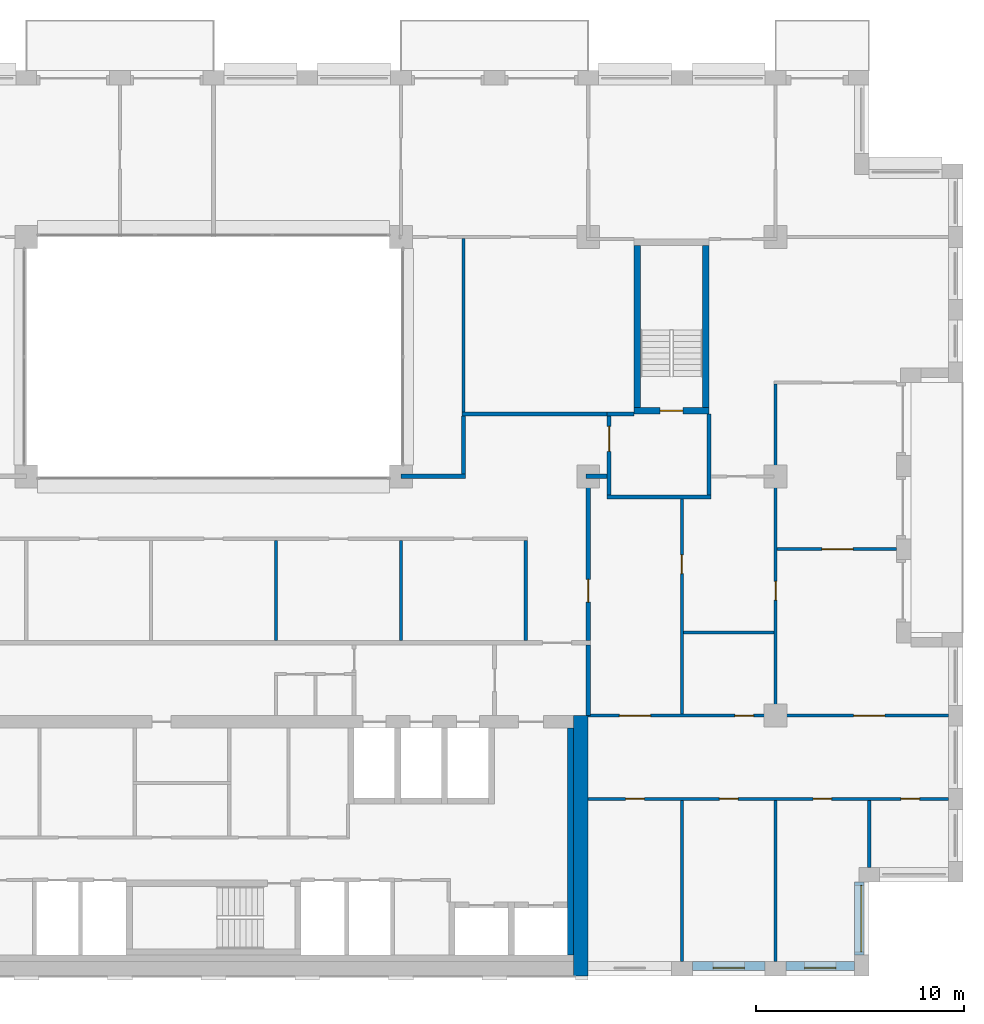
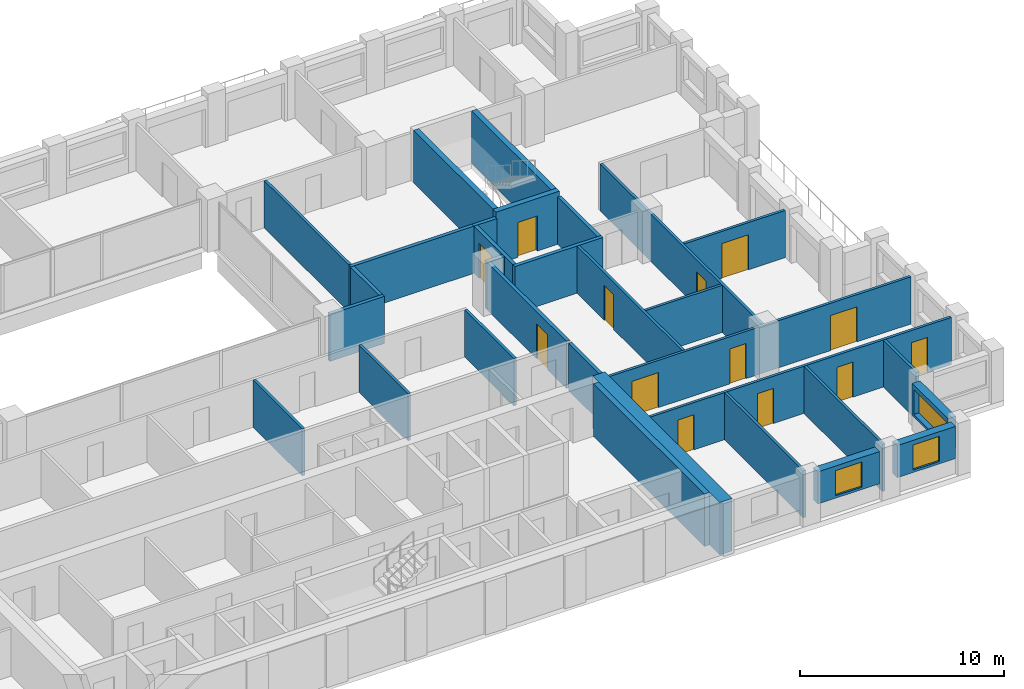
# One storey, part 11 of 15: 31 walls, 13 doors, 3 windows, 16 openings.
"""IFC4 building model written with IfcOpenShell, lengths in metres."""

from ifc_helpers import new_model, si_unit, direction, frame, frame_2d, origin, place, context, subcontext, project, spatial, rectangle, extrude, material, layer, layer_set, type_object, element, fill, save


model = new_model("IFC4")

# Units and contexts
model_context = context("Model", 3, precision=1e-05, world=origin(), true_north=direction((0.0, 1.0)))
body_context = subcontext(model_context, "Body", "Model", "MODEL_VIEW")
ifc_project = project(units=[si_unit("LENGTHUNIT", "METRE"), si_unit("AREAUNIT", "SQUARE_METRE"), si_unit("VOLUMEUNIT", "CUBIC_METRE"), si_unit("PLANEANGLEUNIT", "RADIAN"), si_unit("MASSUNIT", "GRAM", prefix="KILO")], contexts=[model_context])

# Site, building, storey
site_placement = place(None, origin())
site = spatial("IfcSite", under=ifc_project, at=site_placement, CompositionType="ELEMENT")
building_placement = place(site_placement, origin())
building = spatial("IfcBuilding", under=site, at=building_placement, Name="Brigalow Station Residences", CompositionType="ELEMENT")
storey_placement = place(building_placement, frame((0.0, 0.0, 147.60009765625)))
storey = spatial("IfcBuildingStorey", under=building, at=storey_placement, Name="L42", CompositionType="ELEMENT", Elevation=147.60009765625)

# Wall, opening, window
ifc_material_1 = material(Name="Clay brick masonry", Category="masonry")
ifc_layer_1 = layer(ifc_material_1, 0.449951171875)
ifc_layer_set_1 = layer_set([ifc_layer_1], Name="BRICK INFILL WALL 450")
wall_type_1 = type_object("IfcWallType", Name="BRICK INFILL WALL 450", PredefinedType="SOLIDWALL", material=ifc_layer_set_1)
wall_1_placement = place(storey_placement, frame((59.0, 0.47509765625, 0.89990234375), z_axis=(0.0, 0.0, 1.0), x_axis=(1.0, 0.0, 0.0)))
wall_1 = element("IfcWall", 1, at=wall_1_placement, inside=storey, type_object=wall_type_1, Name="L42/ewall/W-L42-5", PredefinedType="SOLIDWALL", context=body_context, shape_type="SweptSolid", body=[
    extrude(rectangle(XDim=3.5, YDim=0.449951171875, at=frame_2d((1.75, 0.0))), origin(), (0.0, 0.0, 1.0), 1.929931640625),
])
opening_1_placement = place(wall_1_placement, frame((1.0, 0.0, 0.14990234375)))
opening_1 = element("IfcOpeningElement", 2, at=opening_1_placement, cuts=wall_1, Name="Opening WT-1", PredefinedType="OPENING", context=body_context, shape_type="SweptSolid", body=[
    extrude(rectangle(XDim=1.5, YDim=1.5, at=frame_2d((0.75, 0.75))), frame((0.0, 0.23486328125, 0.0), z_axis=(0.0, -1.0, 0.0), x_axis=(1.0, 0.0, 0.0)), (0.0, 0.0, 1.0), 0.469970703125),
])
ifc_material_2 = material(Name="Anodised aluminium frame with double glazing", Category="aluminium")
window_type_1 = type_object("IfcWindowType", Name="WINDOW 1500x1500", PartitioningType="SINGLE_PANEL", PredefinedType="WINDOW", material=ifc_material_2)
window_1_placement = place(opening_1_placement, origin())
window_1 = element("IfcWindow", 3, at=window_1_placement, inside=storey, type_object=window_type_1, Name="L42/window/W-L42-5", OverallHeight=1.5, OverallWidth=1.5, PartitioningType="SINGLE_PANEL", PredefinedType="WINDOW", context=body_context, shape_type="SweptSolid", body=[
    extrude(rectangle(XDim=1.5, YDim=1.5, at=frame_2d((0.75, 0.75))), frame((0.0, -0.06494140625, 0.0), z_axis=(0.0, -1.0, 0.0), x_axis=(1.0, 0.0, 0.0)), (0.0, 0.0, 1.0), 0.06005859375),
])
fill(opening_1, window_1)

wall_2_placement = place(storey_placement, frame((63.5, 0.47509765625, 0.89990234375), z_axis=(0.0, 0.0, 1.0), x_axis=(1.0, 0.0, 0.0)))
wall_2 = element("IfcWall", 4, at=wall_2_placement, inside=storey, type_object=wall_type_1, Name="L42/ewall/W-L42-6", PredefinedType="SOLIDWALL", context=body_context, shape_type="SweptSolid", body=[
    extrude(rectangle(XDim=3.300048828125, YDim=0.449951171875, at=frame_2d((1.64990234375, 0.0))), origin(), (0.0, 0.0, 1.0), 1.929931640625),
])
opening_2_placement = place(wall_2_placement, frame((0.89990234375, 0.0, 0.14990234375)))
opening_2 = element("IfcOpeningElement", 5, at=opening_2_placement, cuts=wall_2, Name="Opening WT-1", PredefinedType="OPENING", context=body_context, shape_type="SweptSolid", body=[
    extrude(rectangle(XDim=1.5, YDim=1.5, at=frame_2d((0.75, 0.75))), frame((0.0, 0.23486328125, 0.0), z_axis=(0.0, -1.0, 0.0), x_axis=(1.0, 0.0, 0.0)), (0.0, 0.0, 1.0), 0.469970703125),
])
window_2_placement = place(opening_2_placement, origin())
window_2 = element("IfcWindow", 6, at=window_2_placement, inside=storey, type_object=window_type_1, Name="L42/window/W-L42-6", OverallHeight=1.5, OverallWidth=1.5, PartitioningType="SINGLE_PANEL", PredefinedType="WINDOW", context=body_context, shape_type="SweptSolid", body=[
    extrude(rectangle(XDim=1.5, YDim=1.5, at=frame_2d((0.75, 0.75))), frame((0.0, -0.06494140625, 0.0), z_axis=(0.0, -1.0, 0.0), x_axis=(1.0, 0.0, 0.0)), (0.0, 0.0, 1.0), 0.06005859375),
])
fill(opening_2, window_2)

wall_3_placement = place(storey_placement, frame((67.02490234375, 1.0, 0.89990234375), z_axis=(0.0, 0.0, 1.0), x_axis=(0.0, 1.0, 0.0)))
wall_3 = element("IfcWall", 7, at=wall_3_placement, inside=storey, type_object=wall_type_1, Name="L42/ewall/W-L42-7", PredefinedType="SOLIDWALL", context=body_context, shape_type="SweptSolid", body=[
    extrude(rectangle(XDim=3.5, YDim=0.449951171875, at=frame_2d((1.75, 0.0))), origin(), (0.0, 0.0, 1.0), 1.929931640625),
])
opening_3_placement = place(wall_3_placement, frame((0.14990234375, 0.0, 0.14990234375)))
opening_3 = element("IfcOpeningElement", 8, at=opening_3_placement, cuts=wall_3, Name="Opening WT-9", PredefinedType="OPENING", context=body_context, shape_type="SweptSolid", body=[
    extrude(rectangle(XDim=3.199951171875, YDim=1.5, at=frame_2d((1.60009765625, 0.75))), frame((0.0, 0.23486328125, 0.0), z_axis=(0.0, -1.0, 0.0), x_axis=(1.0, 0.0, 0.0)), (0.0, 0.0, 1.0), 0.469970703125),
])
ifc_material_3 = material(Name="Anodised aluminium frame with double glazing", Category="aluminium")
window_type_2 = type_object("IfcWindowType", Name="WINDOW 3200x1500", PartitioningType="SINGLE_PANEL", PredefinedType="WINDOW", material=ifc_material_3)
window_3_placement = place(opening_3_placement, origin())
window_3 = element("IfcWindow", 9, at=window_3_placement, inside=storey, type_object=window_type_2, Name="L42/window/W-L42-7", OverallHeight=1.5, OverallWidth=3.199951171875, PartitioningType="SINGLE_PANEL", PredefinedType="WINDOW", context=body_context, shape_type="SweptSolid", body=[
    extrude(rectangle(XDim=3.199951171875, YDim=1.5, at=frame_2d((1.60009765625, 0.75))), frame((0.0, -0.06494140625, 0.0), z_axis=(0.0, -1.0, 0.0), x_axis=(1.0, 0.0, 0.0)), (0.0, 0.0, 1.0), 0.06005859375),
])
fill(opening_3, window_3)

# Wall
ifc_material_4 = material(Name="Concrete C65", Category="concrete")
ifc_layer_2 = layer(ifc_material_4, 0.300048828125)
ifc_layer_set_2 = layer_set([ifc_layer_2], Name="CORE SHEAR WALL 300 C65")
wall_type_2 = type_object("IfcWallType", Name="CORE SHEAR WALL 300 C65", PredefinedType="SHEAR", material=ifc_layer_set_2)
wall_4_placement = place(storey_placement, frame((53.14990234375, 1.0, 0.0), z_axis=(0.0, 0.0, 1.0), x_axis=(0.0, 1.0, 0.0)))
element("IfcWall", 10, at=wall_4_placement, inside=storey, type_object=wall_type_2, Name="CORE WALL LIN-E L42", PredefinedType="SHEAR", context=body_context, shape_type="SweptSolid", body=[
    extrude(rectangle(XDim=10.89990234375, YDim=0.300048828125, at=frame_2d((5.449951171875, 0.0))), origin(), (0.0, 0.0, 1.0), 3.14990234375),
])

# Wall, opening, door
wall_5_placement = place(storey_placement, frame((56.199951171875, 27.14990234375, 0.0), z_axis=(0.0, 0.0, 1.0), x_axis=(1.0, 0.0, 0.0)))
wall_5 = element("IfcWall", 11, at=wall_5_placement, inside=storey, type_object=wall_type_2, Name="CORE WALL ST-S3-S L42", PredefinedType="SHEAR", context=body_context, shape_type="SweptSolid", body=[
    extrude(rectangle(XDim=3.60009765625, YDim=0.300048828125, at=frame_2d((1.800048828125, 0.0))), origin(), (0.0, 0.0, 1.0), 3.14990234375),
])
opening_4_placement = place(wall_5_placement, frame((1.25, 0.0, 0.0)))
opening_4 = element("IfcOpeningElement", 12, at=opening_4_placement, cuts=wall_5, Name="Opening D-5018", PredefinedType="OPENING", context=body_context, shape_type="SweptSolid", body=[
    extrude(rectangle(XDim=1.10009765625, YDim=2.10009765625, at=frame_2d((0.550048828125, 1.050048828125))), frame((0.0, 0.16015625, 0.0), z_axis=(0.0, -1.0, 0.0), x_axis=(1.0, 0.0, 0.0)), (0.0, 0.0, 1.0), 0.320068359375),
])
ifc_material_5 = material(Name="Steel fire door leaf in steel frame", Category="steel")
door_type_1 = type_object("IfcDoorType", Name="STAIR DOOR 1100 x 2100 FD60S", OperationType="SINGLE_SWING_LEFT", PredefinedType="DOOR", material=ifc_material_5)
door_1_placement = place(opening_4_placement, origin())
door_1 = element("IfcDoor", 13, at=door_1_placement, inside=storey, type_object=door_type_1, Name="D-5018", OperationType="SINGLE_SWING_LEFT", OverallHeight=2.10009765625, OverallWidth=1.10009765625, PredefinedType="DOOR", context=body_context, shape_type="SweptSolid", body=[
    extrude(rectangle(XDim=1.10009765625, YDim=2.10009765625, at=frame_2d((0.550048828125, 1.050048828125))), frame((0.0, 0.02490234375, 0.0), z_axis=(0.0, -1.0, 0.0), x_axis=(1.0, 0.0, 0.0)), (0.0, 0.0, 1.0), 0.050048828125),
])
fill(opening_4, door_1)

# Walls
for number, where, z_axis, x_axis, name in (
    (14, (56.35009765625, 27.300048828125, 0.0), (0.0, 0.0, 1.0), (0.0, 1.0, 0.0), "CORE WALL ST-S3-W L42"),
    (15, (59.64990234375, 27.300048828125, 0.0), (0.0, 0.0, 1.0), (0.0, 1.0, 0.0), "CORE WALL ST-S3-E L42"),
):
    element("IfcWall", number, at=place(storey_placement, frame(where, z_axis=z_axis, x_axis=x_axis)), inside=storey, type_object=wall_type_2, Name=name, PredefinedType="SHEAR", context=body_context, shape_type="SweptSolid", body=[
        extrude(rectangle(XDim=7.800048828125, YDim=0.300048828125, at=frame_2d((3.89990234375, 0.0))), origin(), (0.0, 0.0, 1.0), 3.14990234375),
    ])
ifc_material_6 = material(Name="Concrete C65", Category="concrete")
ifc_layer_3 = layer(ifc_material_6, 0.699951171875)
ifc_layer_set_3 = layer_set([ifc_layer_3], Name="CORE SHEAR WALL 700 C65")
wall_type_3 = type_object("IfcWallType", Name="CORE SHEAR WALL 700 C65", PredefinedType="SHEAR", material=ifc_layer_set_3)
wall_6_placement = place(storey_placement, frame((53.64990234375, 0.0, 0.0), z_axis=(0.0, 0.0, 1.0), x_axis=(0.0, 1.0, 0.0)))
element("IfcWall", 16, at=wall_6_placement, inside=storey, type_object=wall_type_3, Name="CORE WALL OUT-E L42", PredefinedType="SHEAR", context=body_context, shape_type="SweptSolid", body=[
    extrude(rectangle(XDim=12.5, YDim=0.699951171875, at=frame_2d((6.25, 0.0))), origin(), (0.0, 0.0, 1.0), 3.14990234375),
])
ifc_material_7 = material(Name="Concrete blockwork", Category="masonry")
ifc_layer_4 = layer(ifc_material_7, 0.199951171875)
ifc_layer_set_4 = layer_set([ifc_layer_4], Name="FIRE RATED CORE PARTITION 200")
wall_type_4 = type_object("IfcWallType", Name="FIRE RATED CORE PARTITION 200", PredefinedType="PARTITIONING", material=ifc_layer_set_4)
wall_7_placement = place(storey_placement, frame((54.89990234375, 23.0, 0.0), z_axis=(0.0, 0.0, 1.0), x_axis=(1.0, 0.0, 0.0)))
element("IfcWall", 17, at=wall_7_placement, inside=storey, type_object=wall_type_4, Name="PW-5024", PredefinedType="PARTITIONING", context=body_context, shape_type="SweptSolid", body=[
    extrude(rectangle(XDim=5.0, YDim=0.199951171875, at=frame_2d((2.5, 0.0))), origin(), (0.0, 0.0, 1.0), 2.829833984375),
])
wall_8_placement = place(storey_placement, frame((54.89990234375, 27.0, 0.0), z_axis=(0.0, 0.0, 1.0), x_axis=(1.0, 0.0, 0.0)))
element("IfcWall", 18, at=wall_8_placement, inside=storey, type_object=wall_type_4, Name="PW-5026", PredefinedType="PARTITIONING", context=body_context, shape_type="SweptSolid", body=[
    extrude(rectangle(XDim=1.300048828125, YDim=0.199951171875, at=frame_2d((0.64990234375, 0.0))), origin(), (0.0, 0.0, 1.0), 2.829833984375),
])
wall_9_placement = place(storey_placement, frame((54.0, 12.5, 0.0), z_axis=(0.0, 0.0, 1.0), x_axis=(0.0, 1.0, 0.0)))
element("IfcWall", 19, at=wall_9_placement, inside=storey, type_object=wall_type_4, Name="PW-5016", PredefinedType="PARTITIONING", context=body_context, shape_type="SweptSolid", body=[
    extrude(rectangle(XDim=3.39990234375, YDim=0.199951171875, at=frame_2d((1.699951171875, 0.0))), origin(), (0.0, 0.0, 1.0), 2.829833984375),
])

# Wall, opening, door
wall_10_placement = place(storey_placement, frame((55.0, 23.10009765625, 0.0), z_axis=(0.0, 0.0, 1.0), x_axis=(0.0, 1.0, 0.0)))
wall_10 = element("IfcWall", 20, at=wall_10_placement, inside=storey, type_object=wall_type_4, Name="PW-5036", PredefinedType="PARTITIONING", context=body_context, shape_type="SweptSolid", body=[
    extrude(rectangle(XDim=3.7998046875, YDim=0.199951171875, at=frame_2d((1.89990234375, 0.0))), origin(), (0.0, 0.0, 1.0), 2.829833984375),
])
opening_5_placement = place(wall_10_placement, frame((2.10009765625, 0.0, 0.0)))
opening_5 = element("IfcOpeningElement", 21, at=opening_5_placement, cuts=wall_10, Name="Opening D-5019", PredefinedType="OPENING", context=body_context, shape_type="SweptSolid", body=[
    extrude(rectangle(XDim=1.199951171875, YDim=2.10009765625, at=frame_2d((0.60009765625, 1.050048828125))), frame((0.0, 0.10986328125, 0.0), z_axis=(0.0, -1.0, 0.0), x_axis=(1.0, 0.0, 0.0)), (0.0, 0.0, 1.0), 0.219970703125),
])
ifc_material_8 = material(Name="Steel fire door leaf in steel frame", Category="steel")
door_type_2 = type_object("IfcDoorType", Name="STAIR LOBBY DOOR 1200 x 2100 FD60S", OperationType="SINGLE_SWING_LEFT", PredefinedType="DOOR", material=ifc_material_8)
door_2_placement = place(opening_5_placement, frame((1.199951171875, 0.0, 0.0), z_axis=(0.0, 0.0, 1.0), x_axis=(-1.0, 0.0, 0.0)))
door_2 = element("IfcDoor", 22, at=door_2_placement, inside=storey, type_object=door_type_2, Name="D-5019", OperationType="SINGLE_SWING_LEFT", OverallHeight=2.10009765625, OverallWidth=1.199951171875, PredefinedType="DOOR", context=body_context, shape_type="SweptSolid", body=[
    extrude(rectangle(XDim=1.199951171875, YDim=2.10009765625, at=frame_2d((0.60009765625, 1.050048828125))), frame((0.0, 0.02490234375, 0.0), z_axis=(0.0, -1.0, 0.0), x_axis=(1.0, 0.0, 0.0)), (0.0, 0.0, 1.0), 0.050048828125),
])
fill(opening_5, door_2)

# Wall
wall_11_placement = place(storey_placement, frame((59.800048828125, 23.10009765625, 0.0), z_axis=(0.0, 0.0, 1.0), x_axis=(0.0, 1.0, 0.0)))
element("IfcWall", 23, at=wall_11_placement, inside=storey, type_object=wall_type_4, Name="PW-5037", PredefinedType="PARTITIONING", context=body_context, shape_type="SweptSolid", body=[
    extrude(rectangle(XDim=3.89990234375, YDim=0.199951171875, at=frame_2d((1.949951171875, 0.0))), origin(), (0.0, 0.0, 1.0), 2.829833984375),
])

# Wall, openings, doors
ifc_material_9 = material(Name="Plasterboard on steel stud partition", Category="steel")
ifc_layer_5 = layer(ifc_material_9, 0.14990234375)
ifc_layer_set_5 = layer_set([ifc_layer_5], Name="FLAT PARTITION 150")
wall_type_5 = type_object("IfcWallType", Name="FLAT PARTITION 150", PredefinedType="PARTITIONING", material=ifc_layer_set_5)
wall_12_placement = place(storey_placement, frame((54.0, 8.5, 0.0), z_axis=(0.0, 0.0, 1.0), x_axis=(1.0, 0.0, 0.0)))
wall_12 = element("IfcWall", 24, at=wall_12_placement, inside=storey, type_object=wall_type_5, Name="PW-3A10", PredefinedType="PARTITIONING", context=body_context, shape_type="SweptSolid", body=[
    extrude(rectangle(XDim=17.300048828125, YDim=0.14990234375, at=frame_2d((8.64990234375, 0.0))), origin(), (0.0, 0.0, 1.0), 2.829833984375),
])
opening_6_placement = place(wall_12_placement, frame((1.800048828125, 0.0, 0.0)))
opening_6 = element("IfcOpeningElement", 25, at=opening_6_placement, cuts=wall_12, Name="Opening D-3A21", PredefinedType="OPENING", context=body_context, shape_type="SweptSolid", body=[
    extrude(rectangle(XDim=0.89990234375, YDim=2.10009765625, at=frame_2d((0.449951171875, 1.050048828125))), frame((0.0, 0.0849609375, 0.0), z_axis=(0.0, -1.0, 0.0), x_axis=(1.0, 0.0, 0.0)), (0.0, 0.0, 1.0), 0.169921875),
])
opening_7_placement = place(wall_12_placement, frame((6.300048828125, 0.0, 0.0)))
opening_7 = element("IfcOpeningElement", 26, at=opening_7_placement, cuts=wall_12, Name="Opening D-3A22", PredefinedType="OPENING", context=body_context, shape_type="SweptSolid", body=[
    extrude(rectangle(XDim=0.89990234375, YDim=2.10009765625, at=frame_2d((0.449951171875, 1.050048828125))), frame((0.0, 0.0849609375, 0.0), z_axis=(0.0, -1.0, 0.0), x_axis=(1.0, 0.0, 0.0)), (0.0, 0.0, 1.0), 0.169921875),
])
opening_8_placement = place(wall_12_placement, frame((10.800048828125, 0.0, 0.0)))
opening_8 = element("IfcOpeningElement", 27, at=opening_8_placement, cuts=wall_12, Name="Opening D-3A23", PredefinedType="OPENING", context=body_context, shape_type="SweptSolid", body=[
    extrude(rectangle(XDim=0.89990234375, YDim=2.10009765625, at=frame_2d((0.449951171875, 1.050048828125))), frame((0.0, 0.0849609375, 0.0), z_axis=(0.0, -1.0, 0.0), x_axis=(1.0, 0.0, 0.0)), (0.0, 0.0, 1.0), 0.169921875),
])
opening_9_placement = place(wall_12_placement, frame((15.02490234375, 0.0, 0.0)))
opening_9 = element("IfcOpeningElement", 28, at=opening_9_placement, cuts=wall_12, Name="Opening D-3A24", PredefinedType="OPENING", context=body_context, shape_type="SweptSolid", body=[
    extrude(rectangle(XDim=0.89990234375, YDim=2.10009765625, at=frame_2d((0.449951171875, 1.050048828125))), frame((0.0, 0.0849609375, 0.0), z_axis=(0.0, -1.0, 0.0), x_axis=(1.0, 0.0, 0.0)), (0.0, 0.0, 1.0), 0.169921875),
])
ifc_material_10 = material(Name="Solid-core timber door leaf", Category="wood")
door_type_3 = type_object("IfcDoorType", Name="INTERNAL DOOR 900 x 2100", OperationType="SINGLE_SWING_LEFT", PredefinedType="DOOR", material=ifc_material_10)
door_3_placement = place(opening_6_placement, frame((0.89990234375, 0.0, 0.0), z_axis=(0.0, 0.0, 1.0), x_axis=(-1.0, 0.0, 0.0)))
door_3 = element("IfcDoor", 29, at=door_3_placement, inside=storey, type_object=door_type_3, Name="D-3A21", OperationType="SINGLE_SWING_LEFT", OverallHeight=2.10009765625, OverallWidth=0.89990234375, PredefinedType="DOOR", context=body_context, shape_type="SweptSolid", body=[
    extrude(rectangle(XDim=0.89990234375, YDim=2.10009765625, at=frame_2d((0.449951171875, 1.050048828125))), frame((0.0, 0.02490234375, 0.0), z_axis=(0.0, -1.0, 0.0), x_axis=(1.0, 0.0, 0.0)), (0.0, 0.0, 1.0), 0.050048828125),
])
fill(opening_6, door_3)
door_4_placement = place(opening_7_placement, frame((0.89990234375, 0.0, 0.0), z_axis=(0.0, 0.0, 1.0), x_axis=(-1.0, 0.0, 0.0)))
door_4 = element("IfcDoor", 30, at=door_4_placement, inside=storey, type_object=door_type_3, Name="D-3A22", OperationType="SINGLE_SWING_LEFT", OverallHeight=2.10009765625, OverallWidth=0.89990234375, PredefinedType="DOOR", context=body_context, shape_type="SweptSolid", body=[
    extrude(rectangle(XDim=0.89990234375, YDim=2.10009765625, at=frame_2d((0.449951171875, 1.050048828125))), frame((0.0, 0.02490234375, 0.0), z_axis=(0.0, -1.0, 0.0), x_axis=(1.0, 0.0, 0.0)), (0.0, 0.0, 1.0), 0.050048828125),
])
fill(opening_7, door_4)
door_5_placement = place(opening_8_placement, frame((0.89990234375, 0.0, 0.0), z_axis=(0.0, 0.0, 1.0), x_axis=(-1.0, 0.0, 0.0)))
door_5 = element("IfcDoor", 31, at=door_5_placement, inside=storey, type_object=door_type_3, Name="D-3A23", OperationType="SINGLE_SWING_LEFT", OverallHeight=2.10009765625, OverallWidth=0.89990234375, PredefinedType="DOOR", context=body_context, shape_type="SweptSolid", body=[
    extrude(rectangle(XDim=0.89990234375, YDim=2.10009765625, at=frame_2d((0.449951171875, 1.050048828125))), frame((0.0, 0.02490234375, 0.0), z_axis=(0.0, -1.0, 0.0), x_axis=(1.0, 0.0, 0.0)), (0.0, 0.0, 1.0), 0.050048828125),
])
fill(opening_8, door_5)
door_6_placement = place(opening_9_placement, frame((0.89990234375, 0.0, 0.0), z_axis=(0.0, 0.0, 1.0), x_axis=(-1.0, 0.0, 0.0)))
door_6 = element("IfcDoor", 32, at=door_6_placement, inside=storey, type_object=door_type_3, Name="D-3A24", OperationType="SINGLE_SWING_LEFT", OverallHeight=2.10009765625, OverallWidth=0.89990234375, PredefinedType="DOOR", context=body_context, shape_type="SweptSolid", body=[
    extrude(rectangle(XDim=0.89990234375, YDim=2.10009765625, at=frame_2d((0.449951171875, 1.050048828125))), frame((0.0, 0.02490234375, 0.0), z_axis=(0.0, -1.0, 0.0), x_axis=(1.0, 0.0, 0.0)), (0.0, 0.0, 1.0), 0.050048828125),
])
fill(opening_9, door_6)

wall_13_placement = place(storey_placement, frame((54.0, 12.5, 0.0), z_axis=(0.0, 0.0, 1.0), x_axis=(1.0, 0.0, 0.0)))
wall_13 = element("IfcWall", 33, at=wall_13_placement, inside=storey, type_object=wall_type_5, Name="PW-3A12", PredefinedType="PARTITIONING", context=body_context, shape_type="SweptSolid", body=[
    extrude(rectangle(XDim=17.300048828125, YDim=0.14990234375, at=frame_2d((8.64990234375, 0.0))), origin(), (0.0, 0.0, 1.0), 2.829833984375),
])
opening_10_placement = place(wall_13_placement, frame((1.5, 0.0, 0.0)))
opening_10 = element("IfcOpeningElement", 34, at=opening_10_placement, cuts=wall_13, Name="Opening D-3A20", PredefinedType="OPENING", context=body_context, shape_type="SweptSolid", body=[
    extrude(rectangle(XDim=1.5, YDim=2.10009765625, at=frame_2d((0.75, 1.050048828125))), frame((0.0, 0.0849609375, 0.0), z_axis=(0.0, -1.0, 0.0), x_axis=(1.0, 0.0, 0.0)), (0.0, 0.0, 1.0), 0.169921875),
])
opening_11_placement = place(wall_13_placement, frame((7.050048828125, 0.0, 0.0)))
opening_11 = element("IfcOpeningElement", 35, at=opening_11_placement, cuts=wall_13, Name="Opening D-3A25", PredefinedType="OPENING", context=body_context, shape_type="SweptSolid", body=[
    extrude(rectangle(XDim=0.89990234375, YDim=2.10009765625, at=frame_2d((0.449951171875, 1.050048828125))), frame((0.0, 0.0849609375, 0.0), z_axis=(0.0, -1.0, 0.0), x_axis=(1.0, 0.0, 0.0)), (0.0, 0.0, 1.0), 0.169921875),
])
opening_12_placement = place(wall_13_placement, frame((12.75, 0.0, 0.0)))
opening_12 = element("IfcOpeningElement", 36, at=opening_12_placement, cuts=wall_13, Name="Opening D-3A26", PredefinedType="OPENING", context=body_context, shape_type="SweptSolid", body=[
    extrude(rectangle(XDim=1.5, YDim=2.10009765625, at=frame_2d((0.75, 1.050048828125))), frame((0.0, 0.0849609375, 0.0), z_axis=(0.0, -1.0, 0.0), x_axis=(1.0, 0.0, 0.0)), (0.0, 0.0, 1.0), 0.169921875),
])
door_7_placement = place(opening_11_placement, origin())
door_7 = element("IfcDoor", 37, at=door_7_placement, inside=storey, type_object=door_type_3, Name="D-3A25", OperationType="SINGLE_SWING_RIGHT", OverallHeight=2.10009765625, OverallWidth=0.89990234375, PredefinedType="DOOR", context=body_context, shape_type="SweptSolid", body=[
    extrude(rectangle(XDim=0.89990234375, YDim=2.10009765625, at=frame_2d((0.449951171875, 1.050048828125))), frame((0.0, 0.02490234375, 0.0), z_axis=(0.0, -1.0, 0.0), x_axis=(1.0, 0.0, 0.0)), (0.0, 0.0, 1.0), 0.050048828125),
])
fill(opening_11, door_7)
ifc_material_11 = material(Name="Solid-core timber door leaf", Category="wood")
door_type_4 = type_object("IfcDoorType", Name="INTERNAL DOUBLE DOOR 1500 x 2100", OperationType="DOUBLE_DOOR_SINGLE_SWING", PredefinedType="DOOR", material=ifc_material_11)
door_8_placement = place(opening_10_placement, origin())
door_8 = element("IfcDoor", 38, at=door_8_placement, inside=storey, type_object=door_type_4, Name="D-3A20", OperationType="DOUBLE_DOOR_SINGLE_SWING", OverallHeight=2.10009765625, OverallWidth=1.5, PredefinedType="DOOR", context=body_context, shape_type="SweptSolid", body=[
    extrude(rectangle(XDim=1.5, YDim=2.10009765625, at=frame_2d((0.75, 1.050048828125))), frame((0.0, 0.02490234375, 0.0), z_axis=(0.0, -1.0, 0.0), x_axis=(1.0, 0.0, 0.0)), (0.0, 0.0, 1.0), 0.050048828125),
])
fill(opening_10, door_8)
door_9_placement = place(opening_12_placement, origin())
door_9 = element("IfcDoor", 39, at=door_9_placement, inside=storey, type_object=door_type_4, Name="D-3A26", OperationType="DOUBLE_DOOR_SINGLE_SWING", OverallHeight=2.10009765625, OverallWidth=1.5, PredefinedType="DOOR", context=body_context, shape_type="SweptSolid", body=[
    extrude(rectangle(XDim=1.5, YDim=2.10009765625, at=frame_2d((0.75, 1.050048828125))), frame((0.0, 0.02490234375, 0.0), z_axis=(0.0, -1.0, 0.0), x_axis=(1.0, 0.0, 0.0)), (0.0, 0.0, 1.0), 0.050048828125),
])
fill(opening_12, door_9)

# Wall
wall_14_placement = place(storey_placement, frame((58.574951171875, 16.5, 0.0), z_axis=(0.0, 0.0, 1.0), x_axis=(1.0, 0.0, 0.0)))
element("IfcWall", 40, at=wall_14_placement, inside=storey, type_object=wall_type_5, Name="PW-3A15", PredefinedType="PARTITIONING", context=body_context, shape_type="SweptSolid", body=[
    extrude(rectangle(XDim=4.35009765625, YDim=0.14990234375, at=frame_2d((2.175048828125, 0.0))), origin(), (0.0, 0.0, 1.0), 2.829833984375),
])

# Wall, opening, door
wall_15_placement = place(storey_placement, frame((63.074951171875, 20.5, 0.0), z_axis=(0.0, 0.0, 1.0), x_axis=(1.0, 0.0, 0.0)))
wall_15 = element("IfcWall", 41, at=wall_15_placement, inside=storey, type_object=wall_type_5, Name="PW-3A26", PredefinedType="PARTITIONING", context=body_context, shape_type="SweptSolid", body=[
    extrude(rectangle(XDim=5.72509765625, YDim=0.14990234375, at=frame_2d((2.862548828125, 0.0))), origin(), (0.0, 0.0, 1.0), 2.829833984375),
])
opening_13_placement = place(wall_15_placement, frame((2.14990234375, 0.0, 0.0)))
opening_13 = element("IfcOpeningElement", 42, at=opening_13_placement, cuts=wall_15, Name="Opening D-3A28", PredefinedType="OPENING", context=body_context, shape_type="SweptSolid", body=[
    extrude(rectangle(XDim=1.5, YDim=2.10009765625, at=frame_2d((0.75, 1.050048828125))), frame((0.0, 0.0849609375, 0.0), z_axis=(0.0, -1.0, 0.0), x_axis=(1.0, 0.0, 0.0)), (0.0, 0.0, 1.0), 0.169921875),
])
door_10_placement = place(opening_13_placement, origin())
door_10 = element("IfcDoor", 43, at=door_10_placement, inside=storey, type_object=door_type_4, Name="D-3A28", OperationType="DOUBLE_DOOR_SINGLE_SWING", OverallHeight=2.10009765625, OverallWidth=1.5, PredefinedType="DOOR", context=body_context, shape_type="SweptSolid", body=[
    extrude(rectangle(XDim=1.5, YDim=2.10009765625, at=frame_2d((0.75, 1.050048828125))), frame((0.0, 0.02490234375, 0.0), z_axis=(0.0, -1.0, 0.0), x_axis=(1.0, 0.0, 0.0)), (0.0, 0.0, 1.0), 0.050048828125),
])
fill(opening_13, door_10)

# Walls
wall_16_placement = place(storey_placement, frame((51.0, 16.10009765625, 0.0), z_axis=(0.0, 0.0, 1.0), x_axis=(0.0, 1.0, 0.0)))
element("IfcWall", 44, at=wall_16_placement, inside=storey, type_object=wall_type_5, Name="PW-3A34", PredefinedType="PARTITIONING", context=body_context, shape_type="SweptSolid", body=[
    extrude(rectangle(XDim=4.824951171875, YDim=0.14990234375, at=frame_2d((2.41259765625, 0.0))), origin(), (0.0, 0.0, 1.0), 2.829833984375),
])
wall_17_placement = place(storey_placement, frame((48.0, 27.10009765625, 0.0), z_axis=(0.0, 0.0, 1.0), x_axis=(0.0, 1.0, 0.0)))
element("IfcWall", 45, at=wall_17_placement, inside=storey, type_object=wall_type_5, Name="PW-3A36", PredefinedType="PARTITIONING", context=body_context, shape_type="SweptSolid", body=[
    extrude(rectangle(XDim=8.324951171875, YDim=0.14990234375, at=frame_2d((4.16259765625, 0.0))), origin(), (0.0, 0.0, 1.0), 2.829833984375),
])
wall_18_placement = place(storey_placement, frame((58.5, 0.699951171875, 0.0), z_axis=(0.0, 0.0, 1.0), x_axis=(0.0, 1.0, 0.0)))
element("IfcWall", 46, at=wall_18_placement, inside=storey, type_object=wall_type_5, Name="PW-3A45", PredefinedType="PARTITIONING", context=body_context, shape_type="SweptSolid", body=[
    extrude(rectangle(XDim=7.72509765625, YDim=0.14990234375, at=frame_2d((3.862548828125, 0.0))), origin(), (0.0, 0.0, 1.0), 2.829833984375),
])

# Wall, opening, door
wall_19_placement = place(storey_placement, frame((58.5, 12.574951171875, 0.0), z_axis=(0.0, 0.0, 1.0), x_axis=(0.0, 1.0, 0.0)))
wall_19 = element("IfcWall", 47, at=wall_19_placement, inside=storey, type_object=wall_type_5, Name="PW-3A46", PredefinedType="PARTITIONING", context=body_context, shape_type="SweptSolid", body=[
    extrude(rectangle(XDim=10.324951171875, YDim=0.14990234375, at=frame_2d((5.16259765625, 0.0))), origin(), (0.0, 0.0, 1.0), 2.829833984375),
])
opening_14_placement = place(wall_19_placement, frame((6.75, 0.0, 0.0)))
opening_14 = element("IfcOpeningElement", 48, at=opening_14_placement, cuts=wall_19, Name="Opening D-3A19", PredefinedType="OPENING", context=body_context, shape_type="SweptSolid", body=[
    extrude(rectangle(XDim=0.89990234375, YDim=2.10009765625, at=frame_2d((0.449951171875, 1.050048828125))), frame((0.0, 0.0849609375, 0.0), z_axis=(0.0, -1.0, 0.0), x_axis=(1.0, 0.0, 0.0)), (0.0, 0.0, 1.0), 0.169921875),
])
door_11_placement = place(opening_14_placement, frame((0.89990234375, 0.0, 0.0), z_axis=(0.0, 0.0, 1.0), x_axis=(-1.0, 0.0, 0.0)))
door_11 = element("IfcDoor", 49, at=door_11_placement, inside=storey, type_object=door_type_3, Name="D-3A19", OperationType="SINGLE_SWING_LEFT", OverallHeight=2.10009765625, OverallWidth=0.89990234375, PredefinedType="DOOR", context=body_context, shape_type="SweptSolid", body=[
    extrude(rectangle(XDim=0.89990234375, YDim=2.10009765625, at=frame_2d((0.449951171875, 1.050048828125))), frame((0.0, 0.02490234375, 0.0), z_axis=(0.0, -1.0, 0.0), x_axis=(1.0, 0.0, 0.0)), (0.0, 0.0, 1.0), 0.050048828125),
])
fill(opening_14, door_11)

# Wall
wall_20_placement = place(storey_placement, frame((63.0, 0.699951171875, 0.0), z_axis=(0.0, 0.0, 1.0), x_axis=(0.0, 1.0, 0.0)))
element("IfcWall", 50, at=wall_20_placement, inside=storey, type_object=wall_type_5, Name="PW-3A47", PredefinedType="PARTITIONING", context=body_context, shape_type="SweptSolid", body=[
    extrude(rectangle(XDim=7.72509765625, YDim=0.14990234375, at=frame_2d((3.862548828125, 0.0))), origin(), (0.0, 0.0, 1.0), 2.829833984375),
])

# Wall, opening, door
wall_21_placement = place(storey_placement, frame((63.0, 12.574951171875, 0.0), z_axis=(0.0, 0.0, 1.0), x_axis=(0.0, 1.0, 0.0)))
wall_21 = element("IfcWall", 51, at=wall_21_placement, inside=storey, type_object=wall_type_5, Name="PW-3A48", PredefinedType="PARTITIONING", context=body_context, shape_type="SweptSolid", body=[
    extrude(rectangle(XDim=15.85009765625, YDim=0.14990234375, at=frame_2d((7.925048828125, 0.0))), origin(), (0.0, 0.0, 1.0), 2.829833984375),
])
opening_15_placement = place(wall_21_placement, frame((5.47509765625, 0.0, 0.0)))
opening_15 = element("IfcOpeningElement", 52, at=opening_15_placement, cuts=wall_21, Name="Opening D-3A27", PredefinedType="OPENING", context=body_context, shape_type="SweptSolid", body=[
    extrude(rectangle(XDim=0.89990234375, YDim=2.10009765625, at=frame_2d((0.449951171875, 1.050048828125))), frame((0.0, 0.0849609375, 0.0), z_axis=(0.0, -1.0, 0.0), x_axis=(1.0, 0.0, 0.0)), (0.0, 0.0, 1.0), 0.169921875),
])
door_12_placement = place(opening_15_placement, origin())
door_12 = element("IfcDoor", 53, at=door_12_placement, inside=storey, type_object=door_type_3, Name="D-3A27", OperationType="SINGLE_SWING_LEFT", OverallHeight=2.10009765625, OverallWidth=0.89990234375, PredefinedType="DOOR", context=body_context, shape_type="SweptSolid", body=[
    extrude(rectangle(XDim=0.89990234375, YDim=2.10009765625, at=frame_2d((0.449951171875, 1.050048828125))), frame((0.0, 0.02490234375, 0.0), z_axis=(0.0, -1.0, 0.0), x_axis=(1.0, 0.0, 0.0)), (0.0, 0.0, 1.0), 0.050048828125),
])
fill(opening_15, door_12)

# Walls
wall_22_placement = place(storey_placement, frame((67.5, 5.199951171875, 0.0), z_axis=(0.0, 0.0, 1.0), x_axis=(0.0, 1.0, 0.0)))
element("IfcWall", 54, at=wall_22_placement, inside=storey, type_object=wall_type_5, Name="PW-3A50", PredefinedType="PARTITIONING", context=body_context, shape_type="SweptSolid", body=[
    extrude(rectangle(XDim=3.22509765625, YDim=0.14990234375, at=frame_2d((1.612548828125, 0.0))), origin(), (0.0, 0.0, 1.0), 2.829833984375),
])
for number, where, z_axis, x_axis, name in (
    (55, (45.0, 16.10009765625, 0.0), (0.0, 0.0, 1.0), (0.0, 1.0, 0.0), "PW-3A51"),
    (56, (39.0, 16.10009765625, 0.0), (0.0, 0.0, 1.0), (0.0, 1.0, 0.0), "PW-3A55"),
):
    element("IfcWall", number, at=place(storey_placement, frame(where, z_axis=z_axis, x_axis=x_axis)), inside=storey, type_object=wall_type_5, Name=name, PredefinedType="PARTITIONING", context=body_context, shape_type="SweptSolid", body=[
        extrude(rectangle(XDim=4.824951171875, YDim=0.14990234375, at=frame_2d((2.41259765625, 0.0))), origin(), (0.0, 0.0, 1.0), 2.829833984375),
    ])
ifc_material_12 = material(Name="Plasterboard on steel stud partition", Category="steel")
ifc_layer_6 = layer(ifc_material_12, 0.199951171875)
ifc_layer_set_6 = layer_set([ifc_layer_6], Name="PARTY AND CORRIDOR WALL 200")
wall_type_6 = type_object("IfcWallType", Name="PARTY AND CORRIDOR WALL 200", PredefinedType="PARTITIONING", material=ifc_layer_set_6)
wall_23_placement = place(storey_placement, frame((45.0, 24.0, 0.0), z_axis=(0.0, 0.0, 1.0), x_axis=(1.0, 0.0, 0.0)))
element("IfcWall", 57, at=wall_23_placement, inside=storey, type_object=wall_type_6, Name="PW-3A04", PredefinedType="PARTITIONING", context=body_context, shape_type="SweptSolid", body=[
    extrude(rectangle(XDim=3.10009765625, YDim=0.199951171875, at=frame_2d((1.550048828125, 0.0))), origin(), (0.0, 0.0, 1.0), 2.829833984375),
])
wall_24_placement = place(storey_placement, frame((53.89990234375, 24.0, 0.0), z_axis=(0.0, 0.0, 1.0), x_axis=(1.0, 0.0, 0.0)))
element("IfcWall", 58, at=wall_24_placement, inside=storey, type_object=wall_type_6, Name="PW-3A05", PredefinedType="PARTITIONING", context=body_context, shape_type="SweptSolid", body=[
    extrude(rectangle(XDim=1.0, YDim=0.199951171875, at=frame_2d((0.5, 0.0))), origin(), (0.0, 0.0, 1.0), 2.829833984375),
])
wall_25_placement = place(storey_placement, frame((47.925048828125, 27.0, 0.0), z_axis=(0.0, 0.0, 1.0), x_axis=(1.0, 0.0, 0.0)))
element("IfcWall", 59, at=wall_25_placement, inside=storey, type_object=wall_type_6, Name="PW-3A08", PredefinedType="PARTITIONING", context=body_context, shape_type="SweptSolid", body=[
    extrude(rectangle(XDim=6.974853515625, YDim=0.199951171875, at=frame_2d((3.4873046875, 0.0))), origin(), (0.0, 0.0, 1.0), 2.829833984375),
])

# Wall, opening, door
wall_26_placement = place(storey_placement, frame((54.0, 16.10009765625, 0.0), z_axis=(0.0, 0.0, 1.0), x_axis=(0.0, 1.0, 0.0)))
wall_26 = element("IfcWall", 60, at=wall_26_placement, inside=storey, type_object=wall_type_6, Name="PW-3A32", PredefinedType="PARTITIONING", context=body_context, shape_type="SweptSolid", body=[
    extrude(rectangle(XDim=7.7998046875, YDim=0.199951171875, at=frame_2d((3.89990234375, 0.0))), origin(), (0.0, 0.0, 1.0), 2.829833984375),
])
opening_16_placement = place(wall_26_placement, frame((1.85009765625, 0.0, 0.0)))
opening_16 = element("IfcOpeningElement", 61, at=opening_16_placement, cuts=wall_26, Name="Opening D-3A18", PredefinedType="OPENING", context=body_context, shape_type="SweptSolid", body=[
    extrude(rectangle(XDim=1.10009765625, YDim=2.10009765625, at=frame_2d((0.550048828125, 1.050048828125))), frame((0.0, 0.10986328125, 0.0), z_axis=(0.0, -1.0, 0.0), x_axis=(1.0, 0.0, 0.0)), (0.0, 0.0, 1.0), 0.219970703125),
])
ifc_material_13 = material(Name="Solid-core timber door leaf", Category="wood")
door_type_5 = type_object("IfcDoorType", Name="FLAT ENTRANCE DOOR 1100 x 2100 FRL -/60/30", OperationType="SINGLE_SWING_LEFT", PredefinedType="DOOR", material=ifc_material_13)
door_13_placement = place(opening_16_placement, frame((1.10009765625, 0.0, 0.0), z_axis=(0.0, 0.0, 1.0), x_axis=(-1.0, 0.0, 0.0)))
door_13 = element("IfcDoor", 62, at=door_13_placement, inside=storey, type_object=door_type_5, Name="D-3A18", OperationType="SINGLE_SWING_LEFT", OverallHeight=2.10009765625, OverallWidth=1.10009765625, PredefinedType="DOOR", context=body_context, shape_type="SweptSolid", body=[
    extrude(rectangle(XDim=1.10009765625, YDim=2.10009765625, at=frame_2d((0.550048828125, 1.050048828125))), frame((0.0, 0.02490234375, 0.0), z_axis=(0.0, -1.0, 0.0), x_axis=(1.0, 0.0, 0.0)), (0.0, 0.0, 1.0), 0.050048828125),
])
fill(opening_16, door_13)

# Wall
wall_27_placement = place(storey_placement, frame((48.0, 24.10009765625, 0.0), z_axis=(0.0, 0.0, 1.0), x_axis=(0.0, 1.0, 0.0)))
element("IfcWall", 63, at=wall_27_placement, inside=storey, type_object=wall_type_6, Name="PW-3A37", PredefinedType="PARTITIONING", context=body_context, shape_type="SweptSolid", body=[
    extrude(rectangle(XDim=2.7998046875, YDim=0.199951171875, at=frame_2d((1.39990234375, 0.0))), origin(), (0.0, 0.0, 1.0), 2.829833984375),
])

save(model, "model.ifc")
